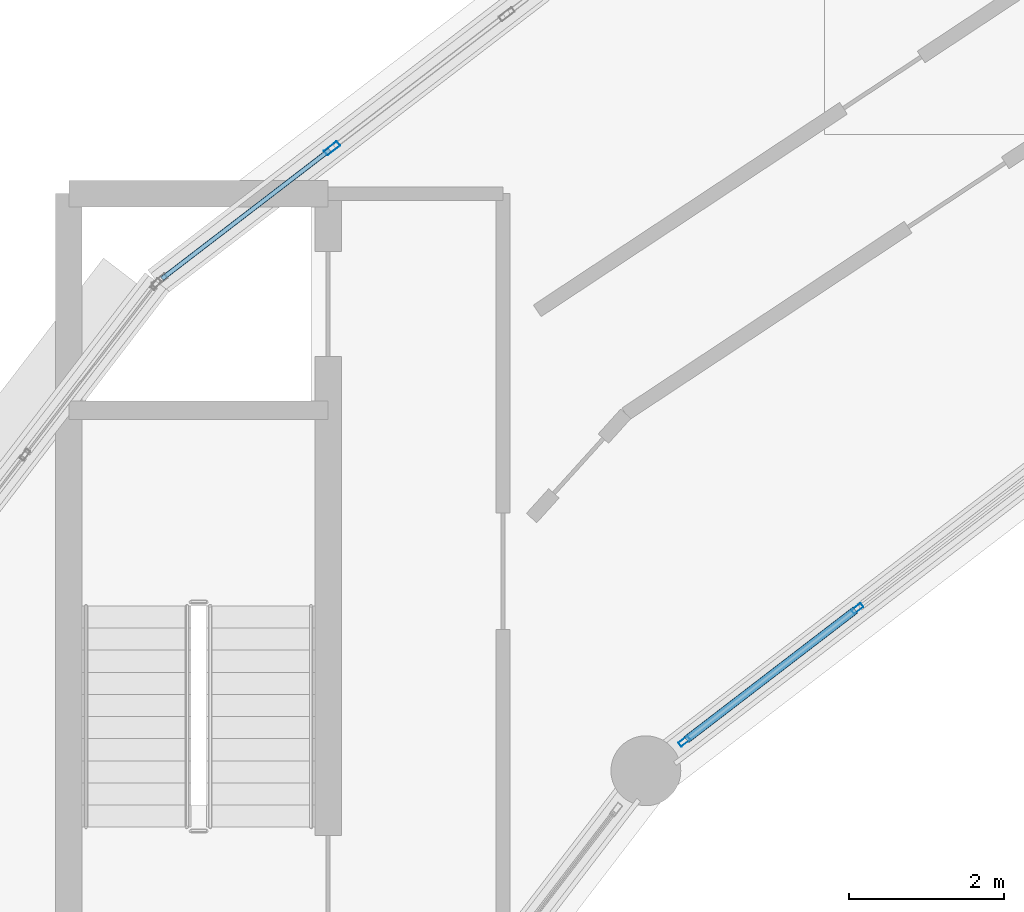
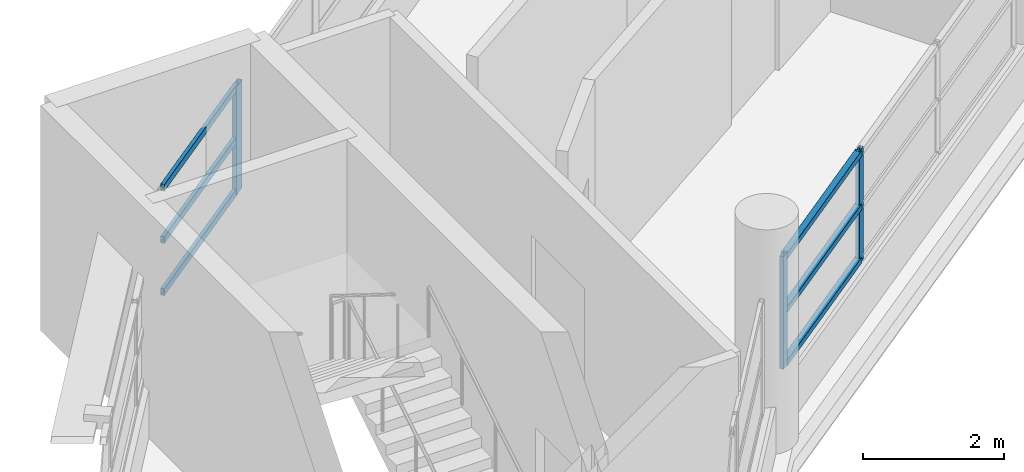
# One storey, part 43 of 121: 9 members, 2 elements without a shape of their own.
"""IFC4 building model written with IfcOpenShell, lengths in metres."""

from ifc_helpers import new_model, si_unit, direction, frame, origin, origin_2d, place, context, subcontext, project, spatial, hollow_rectangle, extrude, material, layer, layer_set, material_profile, profile_set, type_object, element, aggregate, save


model = new_model("IFC4")

# Units and contexts
model_context = context("Model", 3, precision=1e-05, world=origin(), true_north=direction((0.0, 1.0)))
body_context = subcontext(model_context, "Body", "Model", "MODEL_VIEW")
ifc_project = project(units=[si_unit("LENGTHUNIT", "METRE"), si_unit("AREAUNIT", "SQUARE_METRE"), si_unit("VOLUMEUNIT", "CUBIC_METRE"), si_unit("PLANEANGLEUNIT", "RADIAN"), si_unit("MASSUNIT", "GRAM", prefix="KILO")], contexts=[model_context])

# Site, building, storey
site_placement = place(None, origin())
site = spatial("IfcSite", under=ifc_project, at=site_placement, CompositionType="ELEMENT")
building_placement = place(site_placement, origin())
building = spatial("IfcBuilding", under=site, at=building_placement, Name="Vespera Passage Community Centre", CompositionType="ELEMENT")
storey_placement = place(building_placement, frame((0.0, 0.0, 8.699951171875)))
storey = spatial("IfcBuildingStorey", under=building, at=storey_placement, Name="L02", CompositionType="ELEMENT", Elevation=8.699951171875)

# Curtain wall, members
ifc_material_1 = material(Name="Anodized aluminium 6063-T6", Category="aluminium")
ifc_layer_1 = layer(ifc_material_1, 0.159912109375)
ifc_layer_set_1 = layer_set([ifc_layer_1], Name="Anodized aluminium 6063-T6")
curtain_wall_type_1 = type_object("IfcCurtainWallType", Name="CW-30E", PredefinedType="NOTDEFINED", material=ifc_layer_set_1)
curtain_wall_1_placement = place(storey_placement, origin())
curtain_wall_1 = element("IfcCurtainWall", 1, at=curtain_wall_1_placement, inside=storey, type_object=curtain_wall_type_1, Name="V4 L02 Inner Court Curtain Wall 8", PredefinedType="NOTDEFINED")
ifc_material_2 = material(Name="Anodized aluminium 6063-T6", Category="aluminium")
ifc_material_profile_1 = material_profile(ifc_material_2, hollow_rectangle(XDim=0.06494140625, YDim=0.14990234375, WallThickness=0.00390625, InnerFilletRadius=0.001953125, OuterFilletRadius=0.00390625, at=origin_2d()), Name="ALU150X65X4")
ifc_profile_set_1 = profile_set([ifc_material_profile_1], Name="Anodized aluminium 6063-T6")
member_type_1 = type_object("IfcMemberType", Name="MB-CWM-150E", PredefinedType="MULLION", material=ifc_profile_set_1)
member_1_placement = place(storey_placement, frame((54.420654296875, 93.895263671875, 0.820068359375), z_axis=(0.0, 0.0, 1.0), x_axis=(0.608755087843, -0.793358205999, 0.0)))
member_1 = element("IfcMember", 2, at=member_1_placement, type_object=member_type_1, Name="CW-30E mullion 3", PredefinedType="MULLION", context=body_context, shape_type="SweptSolid", body=[
    extrude(hollow_rectangle(XDim=0.06494140625, YDim=0.14990234375, WallThickness=0.00390625, InnerFilletRadius=0.001953125, OuterFilletRadius=0.00390625, at=origin_2d()), origin(), (0.0, 0.0, 1.0), 1.949462890625),
])
member_2_placement = place(storey_placement, frame((52.19189453125, 92.185302734375, 0.820068359375), z_axis=(0.0, 0.0, 1.0), x_axis=(0.608755087843, -0.793358205999, 0.0)))
member_2 = element("IfcMember", 3, at=member_2_placement, type_object=member_type_1, Name="CW-30E mullion 4", PredefinedType="MULLION", context=body_context, shape_type="SweptSolid", body=[
    extrude(hollow_rectangle(XDim=0.06494140625, YDim=0.14990234375, WallThickness=0.00390625, InnerFilletRadius=0.001953125, OuterFilletRadius=0.00390625, at=origin_2d()), origin(), (0.0, 0.0, 1.0), 1.949462890625),
])

# Curtain wall, member
ifc_material_3 = material(Name="Anodized aluminium 6063-T6", Category="aluminium")
ifc_layer_2 = layer(ifc_material_3, 0.159912109375)
ifc_layer_set_2 = layer_set([ifc_layer_2], Name="Anodized aluminium 6063-T6")
curtain_wall_type_2 = type_object("IfcCurtainWallType", Name="CW-29E", PredefinedType="NOTDEFINED", material=ifc_layer_set_2)
curtain_wall_2_placement = place(storey_placement, origin())
curtain_wall_2 = element("IfcCurtainWall", 4, at=curtain_wall_2_placement, inside=storey, type_object=curtain_wall_type_2, Name="V4 L02 Outer Ribbon Curtain Wall 8", PredefinedType="NOTDEFINED")
ifc_material_4 = material(Name="Anodized aluminium 6063-T6", Category="aluminium")
ifc_material_profile_2 = material_profile(ifc_material_4, hollow_rectangle(XDim=0.074951171875, YDim=0.2099609375, WallThickness=0.0048828125, InnerFilletRadius=0.00244140625, OuterFilletRadius=0.0048828125, at=origin_2d()), Name="ALU210X75X5")
ifc_profile_set_2 = profile_set([ifc_material_profile_2], Name="Anodized aluminium 6063-T6")
member_type_2 = type_object("IfcMemberType", Name="MB-CWM-210E", PredefinedType="MULLION", material=ifc_profile_set_2)
member_3_placement = place(storey_placement, frame((47.65283203125, 99.824462890625, 0.820068359375), z_axis=(0.0, 0.0, 1.0), x_axis=(-0.608768221519, 0.793348128169, 0.0)))
member_3 = element("IfcMember", 5, at=member_3_placement, type_object=member_type_2, Name="CW-29E mullion 2", PredefinedType="MULLION", context=body_context, shape_type="SweptSolid", body=[
    extrude(hollow_rectangle(XDim=0.074951171875, YDim=0.2099609375, WallThickness=0.0048828125, InnerFilletRadius=0.00244140625, OuterFilletRadius=0.0048828125, at=origin_2d()), origin(), (0.0, 0.0, 1.0), 1.865478515625),
])

# Member
ifc_material_5 = material(Name="Anodized aluminium 6063-T6", Category="aluminium")
ifc_material_profile_3 = material_profile(ifc_material_5, hollow_rectangle(XDim=0.10009765625, YDim=0.10009765625, WallThickness=0.00390625, InnerFilletRadius=0.001953125, OuterFilletRadius=0.00390625, at=origin_2d()), Name="ALU100X100X4")
ifc_profile_set_3 = profile_set([ifc_material_profile_3], Name="Anodized aluminium 6063-T6")
member_type_3 = type_object("IfcMemberType", Name="MB-CWT-100E", PredefinedType="USERDEFINED", material=ifc_profile_set_3)
member_4_placement = place(storey_placement, frame((54.394775390625, 93.87548828125, 0.8701171875), z_axis=(-0.793364286906, -0.608747162837, 0.0), x_axis=(0.608747162837, -0.793364286906, 0.0)))
member_4 = element("IfcMember", 6, at=member_4_placement, type_object=member_type_3, Name="CW-30E transom 3.1", ObjectType="TRANSOM", PredefinedType="USERDEFINED", context=body_context, shape_type="SweptSolid", body=[
    extrude(hollow_rectangle(XDim=0.10009765625, YDim=0.10009765625, WallThickness=0.00390625, InnerFilletRadius=0.001953125, OuterFilletRadius=0.00390625, at=origin_2d()), origin(), (0.0, 0.0, 1.0), 2.743896484375),
])

member_5_placement = place(storey_placement, frame((54.394775390625, 93.87548828125, 1.794677734375), z_axis=(-0.793364286906, -0.608747162837, 0.0), x_axis=(0.608747162837, -0.793364286906, 0.0)))
member_5 = element("IfcMember", 7, at=member_5_placement, type_object=member_type_3, Name="CW-30E transom 3.2", ObjectType="TRANSOM", PredefinedType="USERDEFINED", context=body_context, shape_type="SweptSolid", body=[
    extrude(hollow_rectangle(XDim=0.10009765625, YDim=0.10009765625, WallThickness=0.00390625, InnerFilletRadius=0.001953125, OuterFilletRadius=0.00390625, at=origin_2d()), origin(), (0.0, 0.0, 1.0), 2.743896484375),
])

member_6_placement = place(storey_placement, frame((54.394775390625, 93.87548828125, 2.719482421875), z_axis=(-0.793364286906, -0.608747162837, 0.0), x_axis=(0.608747162837, -0.793364286906, 0.0)))
member_6 = element("IfcMember", 8, at=member_6_placement, type_object=member_type_3, Name="CW-30E transom 3.3", ObjectType="TRANSOM", PredefinedType="USERDEFINED", context=body_context, shape_type="SweptSolid", body=[
    extrude(hollow_rectangle(XDim=0.10009765625, YDim=0.10009765625, WallThickness=0.00390625, InnerFilletRadius=0.001953125, OuterFilletRadius=0.00390625, at=origin_2d()), origin(), (0.0, 0.0, 1.0), 2.743896484375),
])

aggregate(curtain_wall_1, [member_1, member_2, member_4, member_5, member_6])

ifc_material_6 = material(Name="Anodized aluminium 6063-T6", Category="aluminium")
ifc_material_profile_4 = material_profile(ifc_material_6, hollow_rectangle(XDim=0.06005859375, YDim=0.1201171875, WallThickness=0.00390625, InnerFilletRadius=0.001953125, OuterFilletRadius=0.00390625, at=origin_2d()), Name="ALU120X60X4")
ifc_profile_set_4 = profile_set([ifc_material_profile_4], Name="Anodized aluminium 6063-T6")
member_type_4 = type_object("IfcMemberType", Name="MB-CWT-120E", PredefinedType="USERDEFINED", material=ifc_profile_set_4)
member_7_placement = place(storey_placement, frame((45.4619140625, 98.143310546875, 0.85009765625), z_axis=(0.793326438597, 0.608796486375, 0.0), x_axis=(-0.608796486375, 0.793326438597, 0.0)))
member_7 = element("IfcMember", 9, at=member_7_placement, type_object=member_type_4, Name="CW-29E transom 1.1", ObjectType="TRANSOM", PredefinedType="USERDEFINED", context=body_context, shape_type="SweptSolid", body=[
    extrude(hollow_rectangle(XDim=0.06005859375, YDim=0.1201171875, WallThickness=0.00390625, InnerFilletRadius=0.001953125, OuterFilletRadius=0.00390625, at=origin_2d()), origin(), (0.0, 0.0, 1.0), 2.72412109375),
])

member_8_placement = place(storey_placement, frame((45.4619140625, 98.143310546875, 1.7529296875), z_axis=(0.793326438597, 0.608796486375, 0.0), x_axis=(-0.608796486375, 0.793326438597, 0.0)))
member_8 = element("IfcMember", 10, at=member_8_placement, type_object=member_type_4, Name="CW-29E transom 1.2", ObjectType="TRANSOM", PredefinedType="USERDEFINED", context=body_context, shape_type="SweptSolid", body=[
    extrude(hollow_rectangle(XDim=0.06005859375, YDim=0.1201171875, WallThickness=0.00390625, InnerFilletRadius=0.001953125, OuterFilletRadius=0.00390625, at=origin_2d()), origin(), (0.0, 0.0, 1.0), 2.72412109375),
])

member_9_placement = place(storey_placement, frame((45.4619140625, 98.143310546875, 2.65576171875), z_axis=(0.793326438597, 0.608796486375, 0.0), x_axis=(-0.608796486375, 0.793326438597, 0.0)))
member_9 = element("IfcMember", 11, at=member_9_placement, type_object=member_type_4, Name="CW-29E transom 1.3", ObjectType="TRANSOM", PredefinedType="USERDEFINED", context=body_context, shape_type="SweptSolid", body=[
    extrude(hollow_rectangle(XDim=0.06005859375, YDim=0.1201171875, WallThickness=0.00390625, InnerFilletRadius=0.001953125, OuterFilletRadius=0.00390625, at=origin_2d()), origin(), (0.0, 0.0, 1.0), 2.72412109375),
])

aggregate(curtain_wall_2, [member_3, member_7, member_8, member_9])

save(model, "model.ifc")
